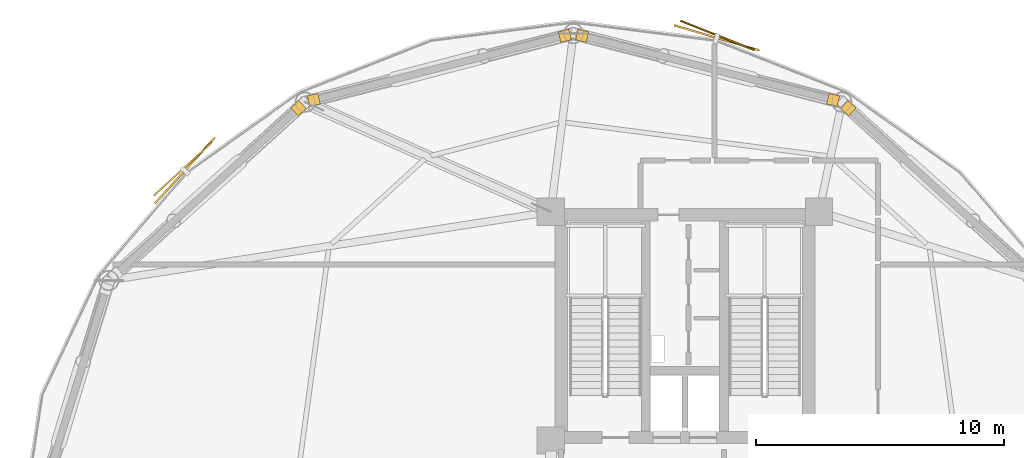
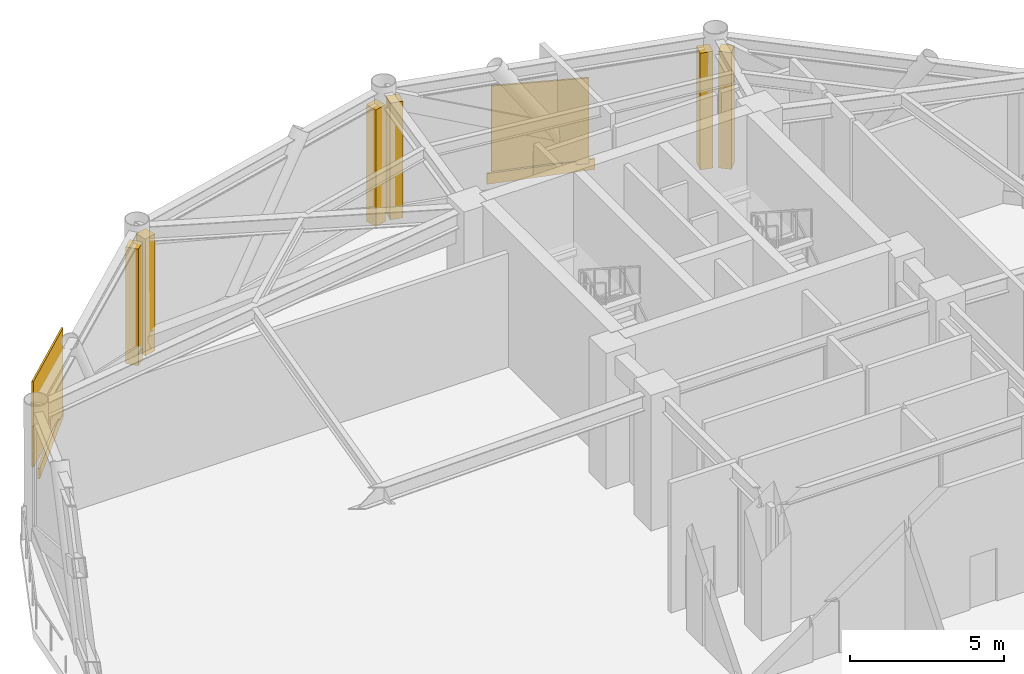
# One storey, part 8 of 8: 8 coverings, 2 shading devices.
"""IFC4 building model written with IfcOpenShell, lengths in metres."""

from ifc_helpers import new_model, si_unit, direction, frame, origin, origin_2d, place, context, subcontext, project, spatial, rectangle, extrude, source, transform, mapped, material, layer, layer_set, type_object, type_shapes, element, save


model = new_model("IFC4")

# Units and contexts
model_context = context("Model", 3, precision=1e-05, world=origin(), true_north=direction((0.0, 1.0)))
body_context = subcontext(model_context, "Body", "Model", "MODEL_VIEW")
ifc_project = project(units=[si_unit("LENGTHUNIT", "METRE"), si_unit("AREAUNIT", "SQUARE_METRE"), si_unit("VOLUMEUNIT", "CUBIC_METRE"), si_unit("PLANEANGLEUNIT", "RADIAN"), si_unit("MASSUNIT", "GRAM", prefix="KILO")], contexts=[model_context])

# Site, building, storey
site_placement = place(None, origin())
site = spatial("IfcSite", under=ifc_project, at=site_placement, CompositionType="ELEMENT")
building_placement = place(site_placement, origin())
building = spatial("IfcBuilding", under=site, at=building_placement, Name="Varnakorn Sky Granary", CompositionType="ELEMENT")
storey_placement = place(building_placement, frame((0.0, 0.0, 78.300048828125)))
storey = spatial("IfcBuildingStorey", under=building, at=storey_placement, Name="L19", CompositionType="ELEMENT", Elevation=78.300048828125)

# Shading devices
ifc_material = material(Name="Anodised Bronze Aluminium Alloy 6063-T6", Category="aluminium")
shading_device_type = type_object("IfcShadingDeviceType", Name="SH-SCR-01", PredefinedType="USERDEFINED", material=ifc_material)
shared_shape_1 = source(origin(), body_context, "Body", "SweptSolid", [
    extrude(rectangle(XDim=3.199951171875, YDim=0.06494140625, at=origin_2d()), origin(), (0.0, 0.0, 1.0), 3.39990234375),
])
type_shapes(shading_device_type, [shared_shape_1])
for number, where, z_axis, x_axis, name in (
    (1, (4.3125, 19.745849609375, -0.0400390625), (0.0, 0.0, 1.0), (-0.929438413886, 0.368977282217, 0.0), "Perforated Bronze Solar Screen Panel SCREEN L19-03"),
    (2, (-17.277099609375, 14.352294921875, -0.0400390625), (0.0, 0.0, 1.0), (-0.737782510226, -0.675038493425, 0.0), "Perforated Bronze Solar Screen Panel SCREEN L19-05"),
):
    element("IfcShadingDevice", number, at=place(storey_placement, frame(where, z_axis=z_axis, x_axis=x_axis)), inside=storey, type_object=shading_device_type, Name=name, ObjectType="SCREEN", PredefinedType="USERDEFINED", context=body_context, shape_type="MappedRepresentation", body=[
        mapped(shared_shape_1, transform((0.0, 0.0, 0.0), x_axis=(1.0, 0.0, 0.0), y_axis=(0.0, 1.0, 0.0), z_axis=(0.0, 0.0, 1.0), scale=1.0)),
    ])

# Coverings
ifc_layer = layer(ifc_material, 0.050048828125, Name="Anodised Bronze Aluminium Alloy 6063-T6")
ifc_layer_set = layer_set([ifc_layer], Name="Anodised Bronze Aluminium Alloy 6063-T6")
covering_type = type_object("IfcCoveringType", Name="CV-CLAD-50", PredefinedType="CLADDING", material=ifc_layer_set)
shared_shape_2 = source(origin(), body_context, "Body", "SweptSolid", [
    extrude(rectangle(XDim=0.43994140625, YDim=0.43994140625, at=origin_2d()), origin(), (0.0, 0.0, 1.0), 4.6298828125),
])
for number, where, z_axis, x_axis, name in (
    (3, (9.605712890625, 16.8037109375, -0.02001953125), (0.0, 0.0, 1.0), (0.740335466358, -0.67223760476, 0.0), "Bronze Corner Pilaster Closure L19-P02-A"),
    (4, (-1.14990234375, 19.7294921875, -0.02001953125), (0.0, 0.0, 1.0), (0.968799815159, -0.247844544316, 0.0), "Bronze Corner Pilaster Closure L19-P03-A"),
    (5, (8.98779296875, 17.136474609375, -0.02001953125), (0.0, 0.0, 1.0), (0.968799815159, -0.247844544316, 0.0), "Bronze Corner Pilaster Closure L19-P03-B"),
    (6, (-11.98779296875, 17.136474609375, -0.02001953125), (0.0, 0.0, 1.0), (0.968799815159, 0.247844544316, 0.0), "Bronze Corner Pilaster Closure L19-P04-A"),
    (7, (-1.85009765625, 19.7294921875, -0.02001953125), (0.0, 0.0, 1.0), (0.968799815159, 0.247844544316, 0.0), "Bronze Corner Pilaster Closure L19-P04-B"),
    (8, (-12.605712890625, 16.8037109375, -0.02001953125), (0.0, 0.0, 1.0), (0.740335466358, 0.67223760476, 0.0), "Bronze Corner Pilaster Closure L19-P05-B"),
):
    element("IfcCovering", number, at=place(storey_placement, frame(where, z_axis=z_axis, x_axis=x_axis)), inside=storey, type_object=covering_type, Name=name, PredefinedType="CLADDING", context=body_context, shape_type="MappedRepresentation", body=[
        mapped(shared_shape_2, transform((0.0, 0.0, 0.0), x_axis=(1.0, 0.0, 0.0), y_axis=(0.0, 1.0, 0.0), z_axis=(0.0, 0.0, 1.0), scale=1.0)),
    ])
shared_shape_3 = source(origin(), body_context, "Body", "SweptSolid", [
    extrude(rectangle(XDim=3.60009765625, YDim=0.080078125, at=origin_2d()), origin(), (0.0, 0.0, 1.0), 0.419921875),
])
type_shapes(covering_type, [shared_shape_2, shared_shape_3])
for number, where, z_axis, x_axis, name in (
    (9, (4.2841796875, 19.64990234375, -0.330078125), (0.0, 0.0, 1.0), (-0.959301370998, 0.282384276476, 0.0), "Bronze Slab-Edge Spandrel Cladding L19-03"),
    (10, (-17.203125, 14.28515625, -0.330078125), (0.0, 0.0, 1.0), (-0.672920344353, -0.739714951962, 0.0), "Bronze Slab-Edge Spandrel Cladding L19-05"),
):
    element("IfcCovering", number, at=place(storey_placement, frame(where, z_axis=z_axis, x_axis=x_axis)), inside=storey, type_object=covering_type, Name=name, PredefinedType="CLADDING", context=body_context, shape_type="MappedRepresentation", body=[
        mapped(shared_shape_3, transform((0.0, 0.0, 0.0), x_axis=(1.0, 0.0, 0.0), y_axis=(0.0, 1.0, 0.0), z_axis=(0.0, 0.0, 1.0), scale=1.0)),
    ])

save(model, "model.ifc")
